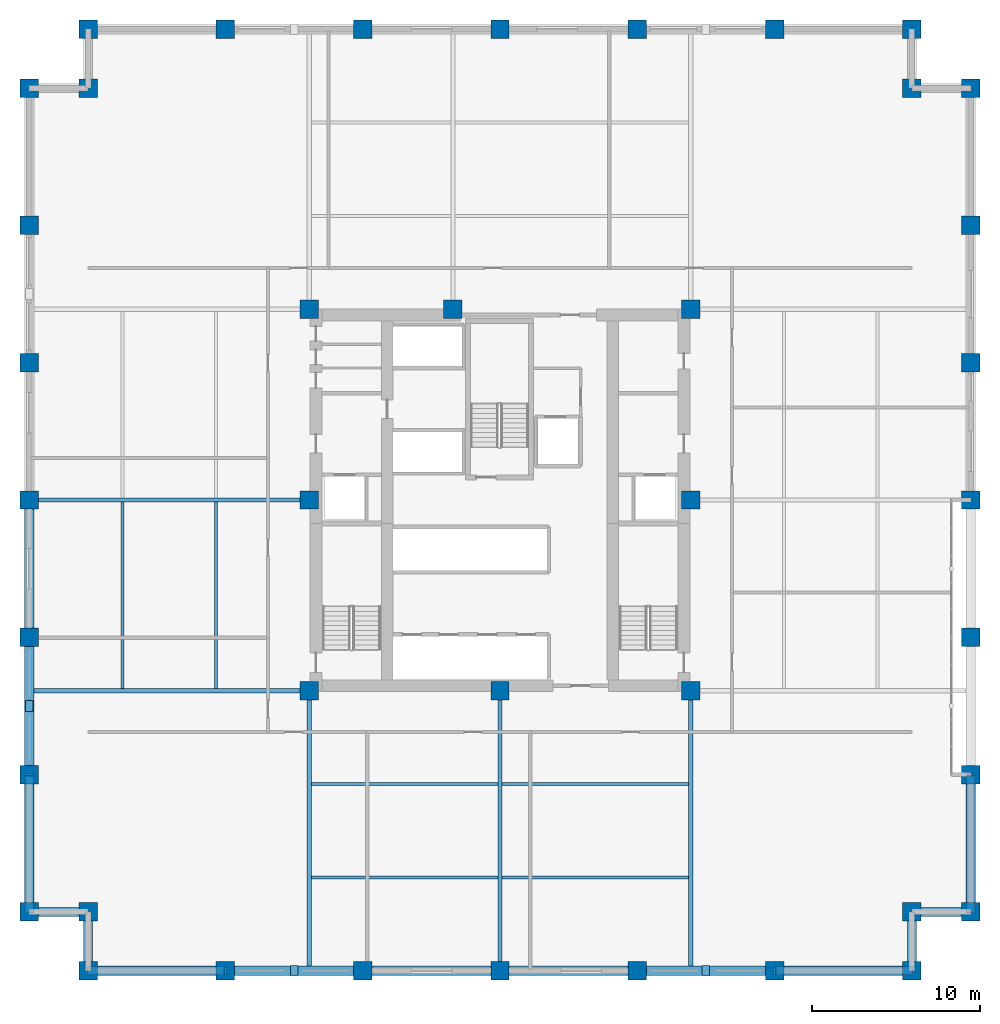
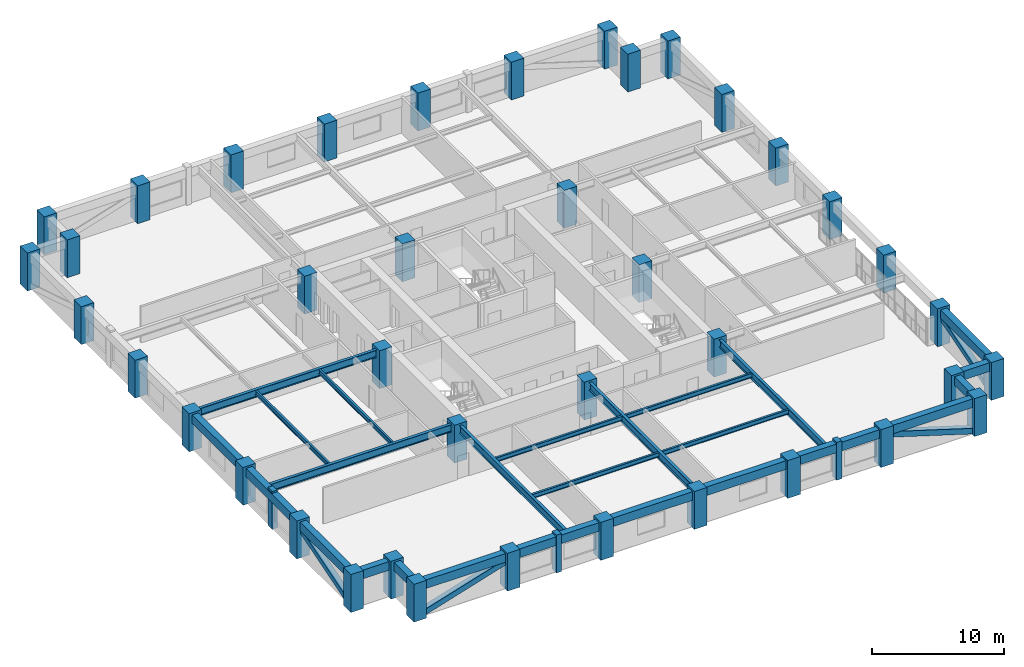
# One storey, part 1 of 10: 40 columns, 25 beams, 7 members.
"""IFC4 building model written with IfcOpenShell, lengths in metres."""

from ifc_helpers import new_model, si_unit, direction, frame, origin, origin_2d, place, context, subcontext, project, spatial, rectangle, hollow_rectangle, i_section, extrude, material, material_profile, profile_set, type_object, element, save


model = new_model("IFC4")

# Units and contexts
model_context = context("Model", 3, precision=1e-05, world=origin(), true_north=direction((0.0, 1.0)))
body_context = subcontext(model_context, "Body", "Model", "MODEL_VIEW")
ifc_project = project(units=[si_unit("LENGTHUNIT", "METRE"), si_unit("AREAUNIT", "SQUARE_METRE"), si_unit("VOLUMEUNIT", "CUBIC_METRE"), si_unit("PLANEANGLEUNIT", "RADIAN"), si_unit("MASSUNIT", "GRAM", prefix="KILO")], contexts=[model_context])

# Site, building, storey
site_placement = place(None, origin())
site = spatial("IfcSite", under=ifc_project, at=site_placement, CompositionType="ELEMENT")
building_placement = place(site_placement, origin())
building = spatial("IfcBuilding", under=site, at=building_placement, Name="Nhamokura Convention Tower", CompositionType="ELEMENT")
storey_placement = place(building_placement, frame((0.0, 0.0, 89.25)))
storey = spatial("IfcBuildingStorey", under=building, at=storey_placement, Name="L21", CompositionType="ELEMENT", Elevation=89.25)

# Columns
ifc_material_1 = material(Name="Concrete C60/75", Category="concrete")
ifc_material_profile_1 = material_profile(ifc_material_1, rectangle(XDim=1.10009765625, YDim=1.10009765625, at=origin_2d()))
ifc_profile_set_1 = profile_set([ifc_material_profile_1], Name="Concrete C60/75")
column_type = type_object("IfcColumnType", Name="TubeColumn_Z1_1100", PredefinedType="COLUMN", material=ifc_profile_set_1)
for number, where, z_axis, x_axis, name in (
    (1, (20.64990234375, 20.64990234375, 0.0), (0.0, 0.0, 1.0), (1.0, 0.0, 0.0), "L21 Core Column CC-SW"),
    (2, (32.0, 20.64990234375, 0.0), (0.0, 0.0, 1.0), (1.0, 0.0, 0.0), "L21 Core Column CC-S"),
    (3, (43.35009765625, 20.64990234375, 0.0), (0.0, 0.0, 1.0), (1.0, 0.0, 0.0), "L21 Core Column CC-SE"),
    (4, (43.35009765625, 32.0, 0.0), (0.0, 0.0, 1.0), (1.0, 0.0, 0.0), "L21 Core Column CC-E"),
    (5, (43.35009765625, 43.35009765625, 0.0), (0.0, 0.0, 1.0), (1.0, 0.0, 0.0), "L21 Core Column CC-NE"),
    (6, (29.199951171875, 43.35009765625, 0.0), (0.0, 0.0, 1.0), (1.0, 0.0, 0.0), "L21 Core Column CC-N"),
    (7, (20.64990234375, 43.35009765625, 0.0), (0.0, 0.0, 1.0), (1.0, 0.0, 0.0), "L21 Core Column CC-NW"),
    (8, (20.64990234375, 32.0, 0.0), (0.0, 0.0, 1.0), (1.0, 0.0, 0.0), "L21 Core Column CC-W"),
    (9, (7.5, 4.0, 0.0), (0.0, 0.0, 1.0), (1.0, 0.0, 0.0), "L21 Perimeter Tube Column SW1"),
    (10, (7.5, 7.5, 0.0), (0.0, 0.0, 1.0), (1.0, 0.0, 0.0), "L21 Perimeter Tube Column SW0"),
    (11, (4.0, 7.5, 0.0), (0.0, 0.0, 1.0), (1.0, 0.0, 0.0), "L21 Perimeter Tube Column SW2"),
    (12, (56.5, 4.0, 0.0), (0.0, 0.0, 1.0), (1.0, 0.0, 0.0), "L21 Perimeter Tube Column SE1"),
    (13, (56.5, 7.5, 0.0), (0.0, 0.0, 1.0), (1.0, 0.0, 0.0), "L21 Perimeter Tube Column SE0"),
    (14, (60.0, 7.5, 0.0), (0.0, 0.0, 1.0), (1.0, 0.0, 0.0), "L21 Perimeter Tube Column SE2"),
    (15, (60.0, 56.5, 0.0), (0.0, 0.0, 1.0), (1.0, 0.0, 0.0), "L21 Perimeter Tube Column NE1"),
    (16, (56.5, 56.5, 0.0), (0.0, 0.0, 1.0), (1.0, 0.0, 0.0), "L21 Perimeter Tube Column NE0"),
    (17, (56.5, 60.0, 0.0), (0.0, 0.0, 1.0), (1.0, 0.0, 0.0), "L21 Perimeter Tube Column NE2"),
    (18, (7.5, 60.0, 0.0), (0.0, 0.0, 1.0), (1.0, 0.0, 0.0), "L21 Perimeter Tube Column NW1"),
    (19, (7.5, 56.5, 0.0), (0.0, 0.0, 1.0), (1.0, 0.0, 0.0), "L21 Perimeter Tube Column NW0"),
    (20, (4.0, 56.5, 0.0), (0.0, 0.0, 1.0), (1.0, 0.0, 0.0), "L21 Perimeter Tube Column NW2"),
    (21, (15.666748046875, 4.0, 0.0), (0.0, 0.0, 1.0), (1.0, 0.0, 0.0), "L21 Perimeter Tube Column S1"),
    (22, (15.666748046875, 60.0, 0.0), (0.0, 0.0, 1.0), (1.0, 0.0, 0.0), "L21 Perimeter Tube Column N1"),
    (23, (4.0, 15.666748046875, 0.0), (0.0, 0.0, 1.0), (1.0, 0.0, 0.0), "L21 Perimeter Tube Column W1"),
    (24, (60.0, 15.666748046875, 0.0), (0.0, 0.0, 1.0), (1.0, 0.0, 0.0), "L21 Perimeter Tube Column E1"),
    (25, (23.833251953125, 4.0, 0.0), (0.0, 0.0, 1.0), (1.0, 0.0, 0.0), "L21 Perimeter Tube Column S2"),
    (26, (23.833251953125, 60.0, 0.0), (0.0, 0.0, 1.0), (1.0, 0.0, 0.0), "L21 Perimeter Tube Column N2"),
    (27, (4.0, 23.833251953125, 0.0), (0.0, 0.0, 1.0), (1.0, 0.0, 0.0), "L21 Perimeter Tube Column W2"),
    (28, (60.0, 23.833251953125, 0.0), (0.0, 0.0, 1.0), (1.0, 0.0, 0.0), "L21 Perimeter Tube Column E2"),
    (29, (32.0, 4.0, 0.0), (0.0, 0.0, 1.0), (1.0, 0.0, 0.0), "L21 Perimeter Tube Column S3"),
    (30, (32.0, 60.0, 0.0), (0.0, 0.0, 1.0), (1.0, 0.0, 0.0), "L21 Perimeter Tube Column N3"),
    (31, (4.0, 32.0, 0.0), (0.0, 0.0, 1.0), (1.0, 0.0, 0.0), "L21 Perimeter Tube Column W3"),
    (32, (60.0, 32.0, 0.0), (0.0, 0.0, 1.0), (1.0, 0.0, 0.0), "L21 Perimeter Tube Column E3"),
    (33, (40.166748046875, 4.0, 0.0), (0.0, 0.0, 1.0), (1.0, 0.0, 0.0), "L21 Perimeter Tube Column S4"),
    (34, (40.166748046875, 60.0, 0.0), (0.0, 0.0, 1.0), (1.0, 0.0, 0.0), "L21 Perimeter Tube Column N4"),
    (35, (4.0, 40.166748046875, 0.0), (0.0, 0.0, 1.0), (1.0, 0.0, 0.0), "L21 Perimeter Tube Column W4"),
    (36, (60.0, 40.166748046875, 0.0), (0.0, 0.0, 1.0), (1.0, 0.0, 0.0), "L21 Perimeter Tube Column E4"),
    (37, (48.333251953125, 4.0, 0.0), (0.0, 0.0, 1.0), (1.0, 0.0, 0.0), "L21 Perimeter Tube Column S5"),
    (38, (48.333251953125, 60.0, 0.0), (0.0, 0.0, 1.0), (1.0, 0.0, 0.0), "L21 Perimeter Tube Column N5"),
    (39, (4.0, 48.333251953125, 0.0), (0.0, 0.0, 1.0), (1.0, 0.0, 0.0), "L21 Perimeter Tube Column W5"),
    (40, (60.0, 48.333251953125, 0.0), (0.0, 0.0, 1.0), (1.0, 0.0, 0.0), "L21 Perimeter Tube Column E5"),
):
    element("IfcColumn", number, at=place(storey_placement, frame(where, z_axis=z_axis, x_axis=x_axis)), inside=storey, type_object=column_type, Name=name, PredefinedType="COLUMN", context=body_context, shape_type="SweptSolid", body=[
        extrude(rectangle(XDim=1.10009765625, YDim=1.10009765625, at=origin_2d()), origin(), (0.0, 0.0, 1.0), 3.5),
    ])

# Members
ifc_material_2 = material(Name="Bronze-pigmented precast concrete C45/55", Category="concrete")
ifc_material_profile_2 = material_profile(ifc_material_2, rectangle(XDim=0.449951171875, YDim=0.64990234375, at=origin_2d()))
ifc_profile_set_2 = profile_set([ifc_material_profile_2], Name="Bronze-pigmented precast concrete C45/55")
member_type_1 = type_object("IfcMemberType", Name="BronzePilaster_650", PredefinedType="USERDEFINED", material=ifc_profile_set_2)
for number, where, z_axis, x_axis, name in (
    (41, (19.75, 4.0, 0.0), (0.0, 0.0, 1.0), (1.0, 0.0, 0.0), "L21 Engaged Frame Pilaster SOUTH 1"),
    (42, (44.25, 4.0, 0.0), (0.0, 0.0, 1.0), (1.0, 0.0, 0.0), "L21 Engaged Frame Pilaster SOUTH 4"),
    (43, (4.0, 19.75, 0.0), (0.0, 0.0, 1.0), (1.0, 0.0, 0.0), "L21 Engaged Frame Pilaster WEST 1"),
):
    element("IfcMember", number, at=place(storey_placement, frame(where, z_axis=z_axis, x_axis=x_axis)), inside=storey, type_object=member_type_1, Name=name, ObjectType="PILASTER_TRIM", PredefinedType="USERDEFINED", context=body_context, shape_type="SweptSolid", body=[
        extrude(rectangle(XDim=0.449951171875, YDim=0.64990234375, at=origin_2d()), origin(), (0.0, 0.0, 1.0), 3.5),
    ])

# Beams
ifc_material_3 = material(Name="Steel ASTM A992 Gr 50", Category="steel")
ifc_material_profile_3 = material_profile(ifc_material_3, i_section(OverallWidth=0.178955078125, OverallDepth=0.409912109375, WebThickness=0.0087890625, FlangeThickness=0.014404296875, at=origin_2d()))
ifc_profile_set_3 = profile_set([ifc_material_profile_3], Name="Steel ASTM A992 Gr 50")
beam_type_1 = type_object("IfcBeamType", Name="FloorJoist_W410X67", PredefinedType="JOIST", material=ifc_profile_set_3)
for number, where, z_axis, x_axis, name in (
    (44, (20.77587890625, 9.550048828125, 3.114990234375), (1.0, 0.0, 0.0), (0.0, 1.0, 0.0), "L21 Composite Floor Joist S1A"),
    (45, (32.1259765625, 9.550048828125, 3.114990234375), (1.0, 0.0, 0.0), (0.0, 1.0, 0.0), "L21 Composite Floor Joist S1B"),
    (46, (20.77587890625, 15.10009765625, 3.114990234375), (1.0, 0.0, 0.0), (0.0, 1.0, 0.0), "L21 Composite Floor Joist S2A"),
    (47, (32.1259765625, 15.10009765625, 3.114990234375), (1.0, 0.0, 0.0), (0.0, 1.0, 0.0), "L21 Composite Floor Joist S2B"),
    (48, (9.550048828125, 20.77587890625, 3.114990234375), (0.0, 1.0, 0.0), (-1.0, 0.0, 0.0), "L21 Composite Floor Joist W1A"),
    (49, (15.10009765625, 20.77587890625, 3.114990234375), (0.0, 1.0, 0.0), (-1.0, 0.0, 0.0), "L21 Composite Floor Joist W2A"),
):
    element("IfcBeam", number, at=place(storey_placement, frame(where, z_axis=z_axis, x_axis=x_axis)), inside=storey, type_object=beam_type_1, Name=name, PredefinedType="JOIST", context=body_context, shape_type="SweptSolid", body=[
        extrude(i_section(OverallWidth=0.178955078125, OverallDepth=0.409912109375, WebThickness=0.0087890625, FlangeThickness=0.014404296875, at=origin_2d()), origin(), (0.0, 0.0, 1.0), 11.09814453125),
    ])
ifc_material_4 = material(Name="Steel ASTM A992 Gr 50", Category="steel")
ifc_material_profile_4 = material_profile(ifc_material_4, i_section(OverallWidth=0.256103515625, OverallDepth=0.693115234375, WebThickness=0.014404296875, FlangeThickness=0.023681640625, at=origin_2d()))
ifc_profile_set_4 = profile_set([ifc_material_profile_4], Name="Steel ASTM A992 Gr 50")
beam_type_2 = type_object("IfcBeamType", Name="PrimaryGirder_W690X170", PredefinedType="BEAM", material=ifc_profile_set_4)
for number, where, z_axis, x_axis, name in (
    (50, (20.64990234375, 4.0, 2.973388671875), (0.0, 1.0, 0.0), (-1.0, 0.0, 0.0), "L21 Primary Floor Girder PG-S1"),
    (51, (32.0, 4.0, 2.973388671875), (0.0, 1.0, 0.0), (-1.0, 0.0, 0.0), "L21 Primary Floor Girder PG-S2"),
    (52, (43.35009765625, 4.0, 2.973388671875), (0.0, 1.0, 0.0), (-1.0, 0.0, 0.0), "L21 Primary Floor Girder PG-S3"),
    (53, (4.0, 20.64990234375, 2.973388671875), (1.0, 0.0, 0.0), (0.0, 1.0, 0.0), "L21 Primary Floor Girder PG-W1"),
    (54, (4.0, 32.0, 2.973388671875), (1.0, 0.0, 0.0), (0.0, 1.0, 0.0), "L21 Primary Floor Girder PG-W2"),
):
    element("IfcBeam", number, at=place(storey_placement, frame(where, z_axis=z_axis, x_axis=x_axis)), inside=storey, type_object=beam_type_2, Name=name, PredefinedType="BEAM", context=body_context, shape_type="SweptSolid", body=[
        extrude(i_section(OverallWidth=0.256103515625, OverallDepth=0.693115234375, WebThickness=0.014404296875, FlangeThickness=0.023681640625, at=origin_2d()), origin(), (0.0, 0.0, 1.0), 16.64990234375),
    ])

# Members
ifc_material_5 = material(Name="Steel ASTM A572 Gr 50", Category="steel")
ifc_material_profile_5 = material_profile(ifc_material_5, hollow_rectangle(XDim=0.5, YDim=0.5, WallThickness=0.02490234375, at=origin_2d()))
ifc_profile_set_5 = profile_set([ifc_material_profile_5], Name="Steel ASTM A572 Gr 50")
member_type_2 = type_object("IfcMemberType", Name="TubeBrace_HSS500", PredefinedType="BRACE", material=ifc_profile_set_5)
for number, where, z_axis, x_axis, name in (
    (55, (7.5, 4.0, 0.14990234375), (0.955542765986, 0.0, 0.294852543437), (0.0, 1.0, 0.0), "L21 Perimeter Tube Brace SOUTH Bay 0"),
    (56, (56.5, 4.0, 0.14990234375), (-0.955542765986, 0.0, 0.294852543437), (0.0, -1.0, 0.0), "L21 Perimeter Tube Brace SOUTH Bay 5"),
    (57, (4.0, 7.5, 0.14990234375), (0.0, 0.955542765986, 0.294852543437), (-1.0, 0.0, 0.0), "L21 Perimeter Tube Brace WEST Bay 0"),
    (58, (60.0, 7.5, 0.14990234375), (0.0, 0.955542765986, 0.294852543437), (-1.0, 0.0, 0.0), "L21 Perimeter Tube Brace EAST Bay 0"),
):
    element("IfcMember", number, at=place(storey_placement, frame(where, z_axis=z_axis, x_axis=x_axis)), inside=storey, type_object=member_type_2, Name=name, PredefinedType="BRACE", context=body_context, shape_type="SweptSolid", body=[
        extrude(hollow_rectangle(XDim=0.5, YDim=0.5, WallThickness=0.02490234375, at=origin_2d()), origin(), (0.0, 0.0, 1.0), 8.546630859375),
    ])

# Beams
ifc_material_6 = material(Name="Concrete C50/60", Category="concrete")
ifc_material_profile_6 = material_profile(ifc_material_6, rectangle(XDim=0.550048828125, YDim=0.800048828125, at=origin_2d()))
ifc_profile_set_6 = profile_set([ifc_material_profile_6], Name="Concrete C50/60")
beam_type_3 = type_object("IfcBeamType", Name="TubeSpandrel_800", PredefinedType="SPANDREL", material=ifc_profile_set_6)
beam_1_placement = place(storey_placement, frame((7.5, 4.0, 2.919921875), z_axis=(1.0, 0.0, 0.0), x_axis=(0.0, 1.0, 0.0)))
element("IfcBeam", 59, at=beam_1_placement, inside=storey, type_object=beam_type_3, Name="L21 Perimeter Spandrel SOUTH 1", PredefinedType="SPANDREL", context=body_context, shape_type="SweptSolid", body=[
    extrude(rectangle(XDim=0.550048828125, YDim=0.800048828125, at=origin_2d()), origin(), (0.0, 0.0, 1.0), 8.166748046875),
])
beam_2_placement = place(storey_placement, frame((15.666748046875, 4.0, 2.919921875), z_axis=(1.0, 0.0, 0.0), x_axis=(0.0, 1.0, 0.0)))
element("IfcBeam", 60, at=beam_2_placement, inside=storey, type_object=beam_type_3, Name="L21 Perimeter Spandrel SOUTH 2", PredefinedType="SPANDREL", context=body_context, shape_type="SweptSolid", body=[
    extrude(rectangle(XDim=0.550048828125, YDim=0.800048828125, at=origin_2d()), origin(), (0.0, 0.0, 1.0), 8.16650390625),
])
for number, where, z_axis, x_axis, name in (
    (61, (23.833251953125, 4.0, 2.919921875), (1.0, 0.0, 0.0), (0.0, 1.0, 0.0), "L21 Perimeter Spandrel SOUTH 3"),
    (62, (32.0, 4.0, 2.919921875), (1.0, 0.0, 0.0), (0.0, 1.0, 0.0), "L21 Perimeter Spandrel SOUTH 4"),
):
    element("IfcBeam", number, at=place(storey_placement, frame(where, z_axis=z_axis, x_axis=x_axis)), inside=storey, type_object=beam_type_3, Name=name, PredefinedType="SPANDREL", context=body_context, shape_type="SweptSolid", body=[
        extrude(rectangle(XDim=0.550048828125, YDim=0.800048828125, at=origin_2d()), origin(), (0.0, 0.0, 1.0), 8.166748046875),
    ])
beam_3_placement = place(storey_placement, frame((40.166748046875, 4.0, 2.919921875), z_axis=(1.0, 0.0, 0.0), x_axis=(0.0, 1.0, 0.0)))
element("IfcBeam", 63, at=beam_3_placement, inside=storey, type_object=beam_type_3, Name="L21 Perimeter Spandrel SOUTH 5", PredefinedType="SPANDREL", context=body_context, shape_type="SweptSolid", body=[
    extrude(rectangle(XDim=0.550048828125, YDim=0.800048828125, at=origin_2d()), origin(), (0.0, 0.0, 1.0), 8.16650390625),
])
for number, where, z_axis, x_axis, name in (
    (64, (48.333251953125, 4.0, 2.919921875), (1.0, 0.0, 0.0), (0.0, 1.0, 0.0), "L21 Perimeter Spandrel SOUTH 6"),
    (65, (4.0, 7.5, 2.919921875), (0.0, 1.0, 0.0), (-1.0, 0.0, 0.0), "L21 Perimeter Spandrel WEST 1"),
):
    element("IfcBeam", number, at=place(storey_placement, frame(where, z_axis=z_axis, x_axis=x_axis)), inside=storey, type_object=beam_type_3, Name=name, PredefinedType="SPANDREL", context=body_context, shape_type="SweptSolid", body=[
        extrude(rectangle(XDim=0.550048828125, YDim=0.800048828125, at=origin_2d()), origin(), (0.0, 0.0, 1.0), 8.166748046875),
    ])
beam_4_placement = place(storey_placement, frame((4.0, 15.666748046875, 2.919921875), z_axis=(0.0, 1.0, 0.0), x_axis=(-1.0, 0.0, 0.0)))
element("IfcBeam", 66, at=beam_4_placement, inside=storey, type_object=beam_type_3, Name="L21 Perimeter Spandrel WEST 2", PredefinedType="SPANDREL", context=body_context, shape_type="SweptSolid", body=[
    extrude(rectangle(XDim=0.550048828125, YDim=0.800048828125, at=origin_2d()), origin(), (0.0, 0.0, 1.0), 8.16650390625),
])
for number, where, z_axis, x_axis, name in (
    (67, (4.0, 23.833251953125, 2.919921875), (0.0, 1.0, 0.0), (-1.0, 0.0, 0.0), "L21 Perimeter Spandrel WEST 3"),
    (68, (60.0, 7.5, 2.919921875), (0.0, 1.0, 0.0), (-1.0, 0.0, 0.0), "L21 Perimeter Spandrel EAST 1"),
):
    element("IfcBeam", number, at=place(storey_placement, frame(where, z_axis=z_axis, x_axis=x_axis)), inside=storey, type_object=beam_type_3, Name=name, PredefinedType="SPANDREL", context=body_context, shape_type="SweptSolid", body=[
        extrude(rectangle(XDim=0.550048828125, YDim=0.800048828125, at=origin_2d()), origin(), (0.0, 0.0, 1.0), 8.166748046875),
    ])
for number, where, z_axis, x_axis, name in (
    (69, (7.5, 4.0, 2.919921875), (0.0, 1.0, 0.0), (-1.0, 0.0, 0.0), "L21 Notch Spandrel SW1"),
    (70, (7.5, 7.5, 2.919921875), (-1.0, 0.0, 0.0), (0.0, -1.0, 0.0), "L21 Notch Spandrel SW2"),
    (71, (56.5, 4.0, 2.919921875), (0.0, 1.0, 0.0), (-1.0, 0.0, 0.0), "L21 Notch Spandrel SE1"),
    (72, (56.5, 7.5, 2.919921875), (1.0, 0.0, 0.0), (0.0, 1.0, 0.0), "L21 Notch Spandrel SE2"),
):
    element("IfcBeam", number, at=place(storey_placement, frame(where, z_axis=z_axis, x_axis=x_axis)), inside=storey, type_object=beam_type_3, Name=name, PredefinedType="SPANDREL", context=body_context, shape_type="SweptSolid", body=[
        extrude(rectangle(XDim=0.550048828125, YDim=0.800048828125, at=origin_2d()), origin(), (0.0, 0.0, 1.0), 3.5),
    ])

save(model, "model.ifc")
